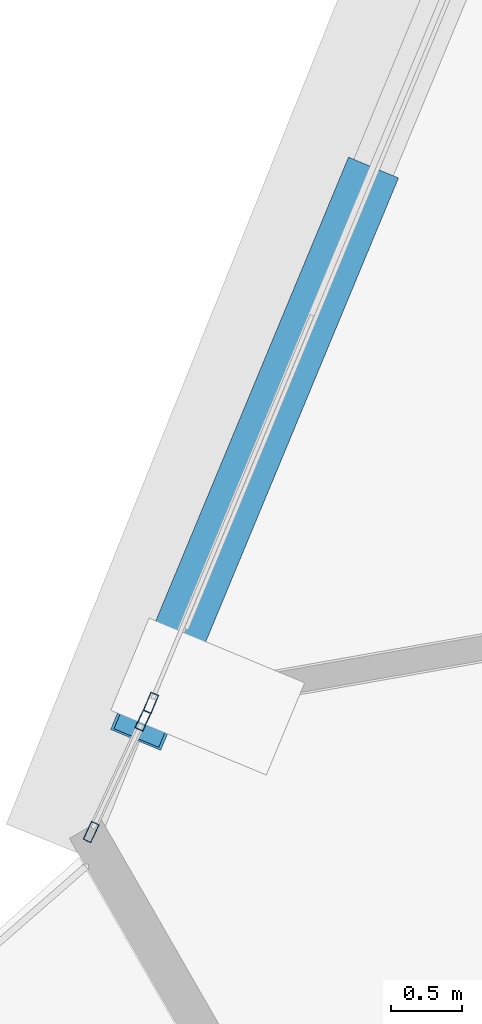
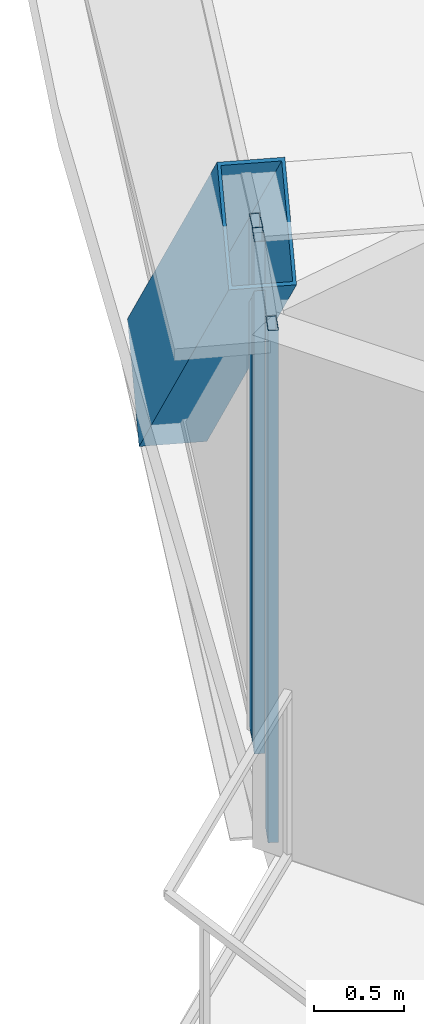
# One storey, part 4 of 39: 4 members, 2 elements without a shape of their own.
"""IFC4 building model written with IfcOpenShell, lengths in metres."""

from ifc_helpers import new_model, si_unit, direction, frame, origin, origin_2d, place, context, subcontext, project, spatial, hollow_rectangle, extrude, source, transform, mapped, material, layer, layer_set, material_profile, profile_set, type_object, element, aggregate, save


model = new_model("IFC4")

# Units and contexts
model_context = context("Model", 3, precision=1e-05, world=origin(), true_north=direction((0.0, 1.0)))
body_context = subcontext(model_context, "Body", "Model", "MODEL_VIEW")
ifc_project = project(units=[si_unit("LENGTHUNIT", "METRE"), si_unit("AREAUNIT", "SQUARE_METRE"), si_unit("VOLUMEUNIT", "CUBIC_METRE"), si_unit("PLANEANGLEUNIT", "RADIAN"), si_unit("MASSUNIT", "GRAM", prefix="KILO"), si_unit("THERMODYNAMICTEMPERATUREUNIT", "KELVIN"), si_unit("POWERUNIT", "WATT")], contexts=[model_context])

# Site, building, storey
site_placement = place(None, origin())
site = spatial("IfcSite", under=ifc_project, at=site_placement, CompositionType="ELEMENT")
building_placement = place(site_placement, origin())
building = spatial("IfcBuilding", under=site, at=building_placement, Name="Yunzhuo Pagoda Commons", CompositionType="ELEMENT")
storey_placement = place(building_placement, frame((0.0, 0.0, 285.02001953125)))
storey = spatial("IfcBuildingStorey", under=building, at=storey_placement, Name="L71", CompositionType="ELEMENT", Elevation=285.02001953125)

# Member
ifc_material_1 = material(Name="Structural steel Q355B", Category="steel")
ifc_material_profile_1 = material_profile(ifc_material_1, hollow_rectangle(XDim=0.3798828125, YDim=0.719970703125, WallThickness=0.02001953125, at=origin_2d()), Name="Structural steel Q355B")
ifc_profile_set_1 = profile_set([ifc_material_profile_1], Name="Structural steel Q355B")
member_type_1 = type_object("IfcMemberType", Name="M-DL3 Brace BOX 720x380x20", PredefinedType="BRACE", material=ifc_profile_set_1)
shared_shape_1 = source(origin(), body_context, "Body", "SweptSolid", [
    extrude(hollow_rectangle(XDim=0.3798828125, YDim=0.719970703125, WallThickness=0.02001953125, at=origin_2d()), origin(), (0.0, 0.0, 1.0), 5.356201171875),
])
member_1_placement = place(storey_placement, frame((17.3251953125, 31.58056640625, -0.260009765625), z_axis=(-0.275404021464, -0.662710868597, 0.696395670295), x_axis=(0.923435433731, -0.38375382699, 0.0)))
element("IfcMember", 1, at=member_1_placement, inside=storey, type_object=member_type_1, Name="L71 facade diamond brace F3.3R", PredefinedType="BRACE", context=body_context, shape_type="MappedRepresentation", body=[
    mapped(shared_shape_1, transform((0.0, 0.0, 0.0), scale=1.0)),
])

# Curtain wall, member
ifc_material_2 = material(Name="Anodized aluminium 6063-T6", Category="aluminium")
ifc_layer = layer(ifc_material_2, 0.139892578125)
ifc_layer_set = layer_set([ifc_layer], Name="Anodized aluminium 6063-T6")
curtain_wall_type = type_object("IfcCurtainWallType", Name="CW-HI High-Zone Ribbon Curtain Wall", PredefinedType="NOTDEFINED", material=ifc_layer_set)
curtain_wall_1_placement = place(storey_placement, origin())
curtain_wall_1 = element("IfcCurtainWall", 2, at=curtain_wall_1_placement, inside=storey, type_object=curtain_wall_type, Name="L71 curtain wall CW-L71-F3B4", PredefinedType="NOTDEFINED")
ifc_material_profile_2 = material_profile(ifc_material_2, hollow_rectangle(XDim=0.06005859375, YDim=0.139892578125, WallThickness=0.00341796875, at=origin_2d()), Name="Anodized aluminium 6063-T6")
ifc_profile_set_2 = profile_set([ifc_material_profile_2], Name="Anodized aluminium 6063-T6")
member_type_2 = type_object("IfcMemberType", Name="CW-HI-M Mullion RHS 140x60x3.5", PredefinedType="MULLION", material=ifc_profile_set_2)
shared_shape_2 = source(origin(), body_context, "Body", "SweptSolid", [
    extrude(hollow_rectangle(XDim=0.06005859375, YDim=0.139892578125, WallThickness=0.00341796875, at=origin_2d()), origin(), (0.0, 0.0, 1.0), 3.4697265625),
])
member_2_placement = place(storey_placement, frame((15.861328125, 28.058837890625, 0.000244140625), z_axis=(0.0, 0.0, 1.0), x_axis=(0.923393531316, -0.383854642182, 0.0)))
member_2 = element("IfcMember", 3, at=member_2_placement, type_object=member_type_2, Name="CW mullion 2", PredefinedType="MULLION", context=body_context, shape_type="MappedRepresentation", body=[
    mapped(shared_shape_2, transform((0.0, 0.0, 0.0), scale=1.0)),
])
aggregate(curtain_wall_1, [member_2])

# Curtain wall, members
curtain_wall_2_placement = place(storey_placement, origin())
curtain_wall_2 = element("IfcCurtainWall", 4, at=curtain_wall_2_placement, inside=storey, type_object=curtain_wall_type, Name="L71 curtain wall CW-L71-F3B5", PredefinedType="NOTDEFINED")
member_3_placement = place(storey_placement, frame((15.8056640625, 27.935791015625, 0.000244140625), z_axis=(0.0, 0.0, 1.0), x_axis=(0.906871417291, -0.421407442389, 0.0)))
member_3 = element("IfcMember", 5, at=member_3_placement, type_object=member_type_2, Name="CW mullion 1", PredefinedType="MULLION", context=body_context, shape_type="MappedRepresentation", body=[
    mapped(shared_shape_2, transform((0.0, 0.0, 0.0), scale=1.0)),
])
member_4_placement = place(storey_placement, frame((15.442138671875, 27.15380859375, 0.000244140625), z_axis=(0.0, 0.0, 1.0), x_axis=(0.906871417291, -0.421407442389, 0.0)))
member_4 = element("IfcMember", 6, at=member_4_placement, type_object=member_type_2, Name="CW mullion 2", PredefinedType="MULLION", context=body_context, shape_type="MappedRepresentation", body=[
    mapped(shared_shape_2, transform((0.0, 0.0, 0.0), scale=1.0)),
])
aggregate(curtain_wall_2, [member_3, member_4])

save(model, "model.ifc")
